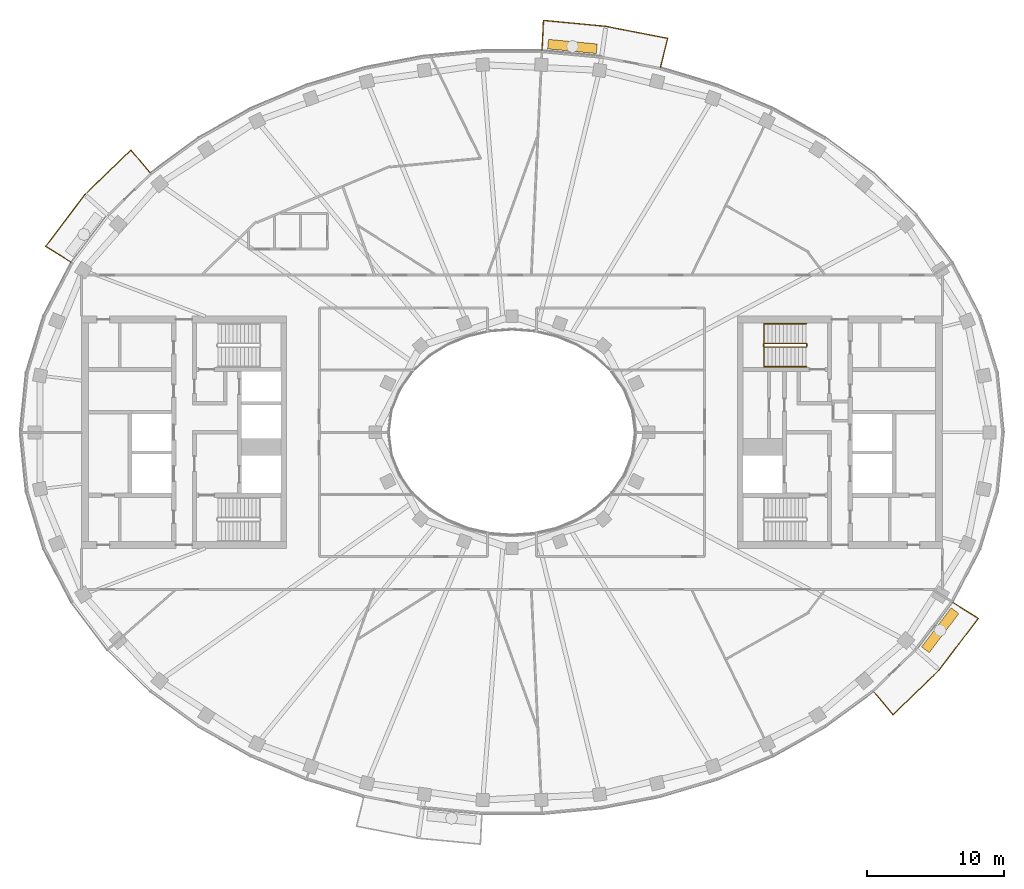
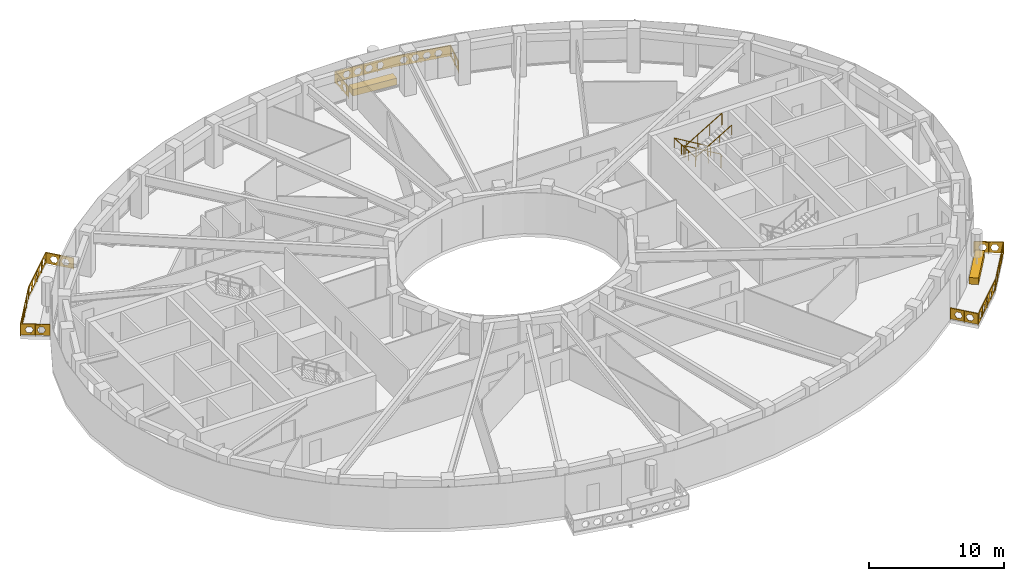
# One storey, part 15 of 16: 5 railings, 2 coverings.
"""IFC4 building model written with IfcOpenShell, lengths in metres."""

import ifcopenshell
import ifcopenshell.guid

model = None  # the IFC model being written
_history = None  # IfcOwnerHistory: only IFC2X3 demands one
_inside = {}  # id of a spatial element -> (the spatial element, [elements in it])
_under = {}  # id of a project, library or spatial element -> (it, [spatial elements below it])
_declared = {}  # id of a project -> (the project, [libraries it declares])
_typed = {}  # id of a type object -> (the type object, [elements of that type])
_made_of = {}  # id of a material, layer set ... -> (it, [elements and type objects made of it])


def new_model(schema):
    """Start an empty IFC model of exactly this schema.

    Asked for "IFC4X3", IfcOpenShell would pick the latest addendum, in which some entities
    have other attributes; the version numbers below select the first issue.
    IFC2X3 requires an IfcOwnerHistory on every rooted entity: one is made here for all.
    """
    global model, _history
    if schema == "IFC4X3":
        model = ifcopenshell.file(schema_version=(4, 3, 0, 0))
    else:
        model = ifcopenshell.file(schema=schema)
    _inside.clear()
    _under.clear()
    _declared.clear()
    _typed.clear()
    _made_of.clear()
    _history = None
    if model.schema == "IFC2X3":
        org = make("IfcOrganization", Name="unknown")
        user = make(
            "IfcPersonAndOrganization",
            ThePerson=make("IfcPerson", FamilyName="unknown"),
            TheOrganization=org,
        )
        app = make(
            "IfcApplication",
            ApplicationDeveloper=org,
            Version="unknown",
            ApplicationFullName="unknown",
            ApplicationIdentifier="unknown",
        )
        _history = make(
            "IfcOwnerHistory",
            OwningUser=user,
            OwningApplication=app,
            ChangeAction="ADDED",
            CreationDate=0,
        )
    return model


def make(cls, **values):
    """One entity of the class cls with the attributes given. An attribute that is None is left unset."""
    return model.create_entity(
        cls, **{name: value for name, value in values.items() if value is not None}
    )


def rooted(cls, **values):
    """An entity with a GlobalId (a new one), such as an element, a storey or a relation."""
    return make(cls, GlobalId=ifcopenshell.guid.new(), OwnerHistory=_history, **values)


def si_unit(unit_type, name, prefix=None):
    """IfcSIUnit, for example si_unit("LENGTHUNIT", "METRE", prefix="MILLI")."""
    return make("IfcSIUnit", UnitType=unit_type, Prefix=prefix, Name=name)


def assignment(units):
    """IfcUnitAssignment: the units of a project."""
    return None if units is None else make("IfcUnitAssignment", Units=units)


def point(xyz):
    """IfcCartesianPoint."""
    return None if xyz is None else make("IfcCartesianPoint", Coordinates=xyz)


def direction(xyz):
    """IfcDirection."""
    return None if xyz is None else make("IfcDirection", DirectionRatios=xyz)


def frame(location, z_axis=None, x_axis=None):
    """IfcAxis2Placement3D, a coordinate frame: its origin and axes. An axis left out is left unset."""
    return make(
        "IfcAxis2Placement3D",
        Location=point(location),
        Axis=direction(z_axis),
        RefDirection=direction(x_axis),
    )


def frame_2d(location, x_axis=None):
    """IfcAxis2Placement2D, a coordinate frame in the plane: its origin and x axis."""
    return make(
        "IfcAxis2Placement2D", Location=point(location), RefDirection=direction(x_axis)
    )


def origin():
    """The frame at (0, 0, 0) with its axes left unset."""
    return frame((0.0, 0.0, 0.0))


def origin_2d():
    """The frame at (0, 0) in the plane with its x axis left unset."""
    return frame_2d((0.0, 0.0))


def place(relative_to, where):
    """IfcLocalPlacement: puts the frame where relative to a parent placement (None: the world)."""
    return make(
        "IfcLocalPlacement", PlacementRelTo=relative_to, RelativePlacement=where
    )


def context(
    kind, dimensions, precision=None, world=None, true_north=None, identifier=None
):
    """IfcGeometricRepresentationContext, for example the 3D "Model" context."""
    return make(
        "IfcGeometricRepresentationContext",
        ContextIdentifier=identifier,
        ContextType=kind,
        CoordinateSpaceDimension=dimensions,
        Precision=precision,
        WorldCoordinateSystem=world,
        TrueNorth=true_north,
    )


def subcontext(parent, identifier, kind, view, scale=None):
    """IfcGeometricRepresentationSubContext, for example "Body" below "Model"."""
    return make(
        "IfcGeometricRepresentationSubContext",
        ContextIdentifier=identifier,
        ContextType=kind,
        ParentContext=parent,
        TargetScale=scale,
        TargetView=view,
    )


def project(units=None, contexts=None):
    """IfcProject with its units and contexts."""
    return rooted(
        "IfcProject",
        Name="project",
        RepresentationContexts=contexts,
        UnitsInContext=assignment(units),
    )


def spatial(cls, under=None, at=None, **own):
    """A site, building, storey or space (cls), placed at a placement, below another one or the project."""
    s = rooted(cls, ObjectPlacement=at, **own)
    if under is not None:
        _under.setdefault(under.id(), (under, []))[1].append(s)
    return s


def polyline(points):
    """IfcPolyline through the points."""
    return make("IfcPolyline", Points=[point(p) for p in points])


def profile(cls, at=None, kind="AREA", **sizes):
    """A parametric profile (cls). Its sizes go by their IFC names, for example OverallWidth=200.0."""
    return make(cls, ProfileType=kind, Position=at, **sizes)


def rectangle(**sizes):
    """IfcRectangleProfileDef."""
    return profile("IfcRectangleProfileDef", **sizes)


def outline(outer, holes=None, kind="AREA"):
    """IfcArbitraryClosedProfileDef: a profile drawn as a closed curve; with holes, ...WithVoids."""
    if holes is None:
        return make("IfcArbitraryClosedProfileDef", ProfileType=kind, OuterCurve=outer)
    return make(
        "IfcArbitraryProfileDefWithVoids",
        ProfileType=kind,
        OuterCurve=outer,
        InnerCurves=holes,
    )


def extrude(swept, where, along, depth):
    """IfcExtrudedAreaSolid: the profile swept, set in the frame where, extruded along a direction by depth."""
    return make(
        "IfcExtrudedAreaSolid",
        SweptArea=swept,
        Position=where,
        ExtrudedDirection=direction(along),
        Depth=depth,
    )


def shape(context_of_items, identifier, shape_type, items):
    """IfcShapeRepresentation: the items that make up one representation, for example the "Body"."""
    return make(
        "IfcShapeRepresentation",
        ContextOfItems=context_of_items,
        RepresentationIdentifier=identifier,
        RepresentationType=shape_type,
        Items=items,
    )


def material(Name=None, Category=None):
    """IfcMaterial."""
    return make("IfcMaterial", Name=Name, Category=Category)


def made_of(thing, what):
    """Note that an element or type object is made of a material, layer set ...; save() writes the relation."""
    if what is not None:
        _made_of.setdefault(what.id(), (what, []))[1].append(thing)
    return thing


def type_object(cls, material=None, **own):
    """A type object (cls), such as IfcWallType, which elements share."""
    return made_of(rooted(cls, **own), material)


def element(
    cls,
    number,
    at=None,
    inside=None,
    cuts=None,
    type_object=None,
    material=None,
    context=None,
    identifier="Body",
    shape_type=None,
    held_by="IfcProductDefinitionShape",
    body=None,
    shapes=None,
    **own,
):
    """One element of the class cls, such as IfcWall. Its Tag is "e" and its number.

    at: its placement. inside: the storey or other place that contains it. cuts: it is an
    opening in that element (IfcRelVoidsElement). A single representation is given by context,
    identifier, shape_type and body (its items); several are given by shapes. held_by: the class
    of the entity that holds the representations. save() writes the other relations.
    """
    e = rooted(cls, Tag="e%d" % number, ObjectPlacement=at, **own)
    if body is not None:
        shapes = [shape(context, identifier, shape_type, body)]
    if shapes is not None:
        e.Representation = make(held_by, Representations=shapes)
    if inside is not None:
        _inside.setdefault(inside.id(), (inside, []))[1].append(e)
    if cuts is not None:
        rooted(
            "IfcRelVoidsElement", RelatingBuildingElement=cuts, RelatedOpeningElement=e
        )
    if type_object is not None:
        _typed.setdefault(type_object.id(), (type_object, []))[1].append(e)
    return made_of(e, material)


def aggregate(whole, parts):
    """IfcRelAggregates: a whole, such as a stair, and the parts it consists of."""
    return rooted("IfcRelAggregates", RelatingObject=whole, RelatedObjects=parts)


def save(model, path):
    """Write the relations noted so far, then the file.

    IfcRelAggregates (storeys below a building ...), IfcRelContainedInSpatialStructure (elements
    in a storey), IfcRelDefinesByType, IfcRelAssociatesMaterial and IfcRelDeclares: one each for
    every whole, place, type object, material and project.
    """
    for whole, parts in _under.values():
        aggregate(whole, parts)
    for where, things in _inside.values():
        rooted(
            "IfcRelContainedInSpatialStructure",
            RelatedElements=things,
            RelatingStructure=where,
        )
    for kind, things in _typed.values():
        rooted("IfcRelDefinesByType", RelatedObjects=things, RelatingType=kind)
    for what, things in _made_of.values():
        rooted("IfcRelAssociatesMaterial", RelatedObjects=things, RelatingMaterial=what)
    for by, libraries in _declared.values():
        rooted("IfcRelDeclares", RelatingContext=by, RelatedDefinitions=libraries)
    model.write(path)


model = new_model("IFC4")

# Units and contexts
model_context = context("Model", 3, precision=1e-05, world=origin(), true_north=direction((0.0, 1.0)))
body_context = subcontext(model_context, "Body", "Model", "MODEL_VIEW")
ifc_project = project(units=[si_unit("LENGTHUNIT", "METRE"), si_unit("AREAUNIT", "SQUARE_METRE"), si_unit("VOLUMEUNIT", "CUBIC_METRE"), si_unit("PLANEANGLEUNIT", "RADIAN"), si_unit("MASSUNIT", "GRAM", prefix="KILO")], contexts=[model_context])

# Site, building, storey
site_placement = place(None, origin())
site = spatial("IfcSite", under=ifc_project, at=site_placement, CompositionType="ELEMENT")
building_placement = place(site_placement, origin())
building = spatial("IfcBuilding", under=site, at=building_placement, Name="Noorbagh Ring Tower", CompositionType="ELEMENT")
storey_placement = place(building_placement, frame((0.0, 0.0, 303.0)))
storey = spatial("IfcBuildingStorey", under=building, at=storey_placement, Name="L65", CompositionType="ELEMENT", Elevation=303.0)

# Railings
ifc_material_1 = material(Name="Stainless steel", Category="steel")
railing_type_1 = type_object("IfcRailingType", Name="CORE-STAIR-GUARD", PredefinedType="GUARDRAIL", material=ifc_material_1)
railing_1_placement = place(storey_placement, frame((21.580078125, 6.449951171875, 0.0)))
element("IfcRailing", 1, at=railing_1_placement, inside=storey, type_object=railing_type_1, Name="L65 ST3 stair guard", PredefinedType="GUARDRAIL", context=body_context, shape_type="SweptSolid", body=[
    extrude(rectangle(XDim=0.048095703125, YDim=0.048095703125, at=origin_2d()), frame((0.0, 0.0, 1.076171875), z_axis=(0.0, -1.0, 0.0), x_axis=(1.0, 0.0, 0.0)), (0.0, 0.0, 1.0), 0.14990234375),
    extrude(rectangle(XDim=0.048095703125, YDim=0.048095703125, at=origin_2d()), frame((0.0, -0.14990234375, 1.076171875), z_axis=(-0.188775798145, 0.754182335027, 0.628945707965), x_axis=(-0.970072785993, -0.242814311512, 0.0)), (0.0, 0.0, 1.0), 0.26513671875),
    extrude(rectangle(XDim=0.048095703125, YDim=0.048095703125, at=origin_2d()), frame((-0.050048828125, 0.050048828125, 1.24267578125), z_axis=(-0.859308565015, 0.0, 0.511457515432), x_axis=(0.0, -1.0, 0.0)), (0.0, 0.0, 1.0), 3.58447265625),
    extrude(rectangle(XDim=0.048095703125, YDim=0.048095703125, at=origin_2d()), frame((-3.130126953125, 0.050048828125, 3.076171875), z_axis=(-0.707106781187, -0.707106781187, 0.0), x_axis=(0.707106781187, -0.707106781187, 0.0)), (0.0, 0.0, 1.0), 0.07080078125),
    extrude(rectangle(XDim=0.048095703125, YDim=0.048095703125, at=origin_2d()), frame((-3.18017578125, 0.0, 3.076171875), z_axis=(0.0, -1.0, 0.0), x_axis=(1.0, 0.0, 0.0)), (0.0, 0.0, 1.0), 0.14990234375),
    extrude(rectangle(XDim=0.048095703125, YDim=0.048095703125, at=origin_2d()), frame((-3.18017578125, -0.14990234375, 3.076171875), z_axis=(0.27628659633, -0.27628659633, 0.920506074601), x_axis=(0.707106781187, 0.707106781187, 0.0)), (0.0, 0.0, 1.0), 0.18115234375),
    extrude(rectangle(XDim=0.048095703125, YDim=0.048095703125, at=origin_2d()), frame((-3.130126953125, -0.199951171875, 3.24267578125), z_axis=(0.859308565015, 0.0, 0.511457515432), x_axis=(0.0, 1.0, 0.0)), (0.0, 0.0, 1.0), 3.58447265625),
    extrude(rectangle(XDim=0.0419921875, YDim=0.0419921875, at=origin_2d()), origin(), (0.0, 0.0, 1.0), 1.052001953125),
    extrude(rectangle(XDim=0.0419921875, YDim=0.0419921875, at=origin_2d()), frame((-1.07666015625, 0.050048828125, 0.77783203125)), (0.0, 0.0, 1.0), 1.052001953125),
    extrude(rectangle(XDim=0.0419921875, YDim=0.0419921875, at=origin_2d()), frame((-2.103515625, 0.050048828125, 1.388916015625)), (0.0, 0.0, 1.0), 1.052001953125),
    extrude(rectangle(XDim=0.0419921875, YDim=0.0419921875, at=origin_2d()), frame((-3.130126953125, 0.050048828125, 2.0)), (0.0, 0.0, 1.0), 1.052001953125),
    extrude(rectangle(XDim=0.0419921875, YDim=0.0419921875, at=origin_2d()), frame((-3.130126953125, -0.199951171875, 2.166748046875)), (0.0, 0.0, 1.0), 1.052001953125),
    extrude(rectangle(XDim=0.0419921875, YDim=0.0419921875, at=origin_2d()), frame((-2.103515625, -0.199951171875, 2.77783203125)), (0.0, 0.0, 1.0), 1.052001953125),
    extrude(rectangle(XDim=0.0419921875, YDim=0.0419921875, at=origin_2d()), frame((-1.07666015625, -0.199951171875, 3.388916015625)), (0.0, 0.0, 1.0), 1.052001953125),
    extrude(rectangle(XDim=0.0419921875, YDim=0.0419921875, at=origin_2d()), frame((-0.050048828125, -0.199951171875, 4.0)), (0.0, 0.0, 1.0), 1.052001953125),
])
ifc_material_2 = material(Name="Stainless steel", Category="steel")
railing_type_2 = type_object("IfcRailingType", Name="CORE-STAIR-HANDRAIL", PredefinedType="HANDRAIL", material=ifc_material_2)
railing_2_placement = place(storey_placement, frame((21.530029296875, 7.949951171875, 0.166748046875)))
element("IfcRailing", 2, at=railing_2_placement, inside=storey, type_object=railing_type_2, Name="L65 ST3 stair handrail", PredefinedType="HANDRAIL", context=body_context, shape_type="SweptSolid", body=[
    extrude(rectangle(XDim=0.048095703125, YDim=0.048095703125, at=origin_2d()), frame((0.0, 0.0, 0.8759765625), z_axis=(-0.859308565015, 0.0, 0.511457515432), x_axis=(0.0, -1.0, 0.0)), (0.0, 0.0, 1.0), 3.58447265625),
    extrude(rectangle(XDim=0.048095703125, YDim=0.048095703125, at=origin_2d()), frame((-3.080078125, 0.0, 2.708984375), z_axis=(0.0, -0.998601747152, 0.052863509014), x_axis=(1.0, 0.0, 0.0)), (0.0, 0.0, 1.0), 3.154296875),
    extrude(rectangle(XDim=0.048095703125, YDim=0.048095703125, at=origin_2d()), frame((-3.080078125, -3.14990234375, 2.8759765625), z_axis=(0.859308565015, 0.0, 0.511457515432), x_axis=(0.0, 1.0, 0.0)), (0.0, 0.0, 1.0), 3.58447265625),
    extrude(rectangle(XDim=0.0419921875, YDim=0.0419921875, at=origin_2d()), origin(), (0.0, 0.0, 1.0), 0.851806640625),
    extrude(rectangle(XDim=0.0419921875, YDim=0.0419921875, at=origin_2d()), frame((-1.026611328125, 0.0, 0.611083984375)), (0.0, 0.0, 1.0), 0.851806640625),
    extrude(rectangle(XDim=0.0419921875, YDim=0.0419921875, at=origin_2d()), frame((-2.053466796875, 0.0, 1.22216796875)), (0.0, 0.0, 1.0), 0.851806640625),
    extrude(rectangle(XDim=0.0419921875, YDim=0.0419921875, at=origin_2d()), frame((-3.080078125, 0.0, 1.833251953125)), (0.0, 0.0, 1.0), 0.851806640625),
    extrude(rectangle(XDim=0.0419921875, YDim=0.0419921875, at=origin_2d()), frame((-3.080078125, -1.050048828125, 1.888916015625)), (0.0, 0.0, 1.0), 0.851806640625),
    extrude(rectangle(XDim=0.0419921875, YDim=0.0419921875, at=origin_2d()), frame((-3.080078125, -2.099853515625, 1.9443359375)), (0.0, 0.0, 1.0), 0.851806640625),
    extrude(rectangle(XDim=0.0419921875, YDim=0.0419921875, at=origin_2d()), frame((-3.080078125, -3.14990234375, 2.0)), (0.0, 0.0, 1.0), 0.851806640625),
    extrude(rectangle(XDim=0.0419921875, YDim=0.0419921875, at=origin_2d()), frame((-2.053466796875, -3.14990234375, 2.611083984375)), (0.0, 0.0, 1.0), 0.851806640625),
    extrude(rectangle(XDim=0.0419921875, YDim=0.0419921875, at=origin_2d()), frame((-1.026611328125, -3.14990234375, 3.22216796875)), (0.0, 0.0, 1.0), 0.851806640625),
    extrude(rectangle(XDim=0.0419921875, YDim=0.0419921875, at=origin_2d()), frame((0.0, -3.14990234375, 3.833251953125)), (0.0, 0.0, 1.0), 0.851806640625),
])
ifc_material_3 = material(Name="Steel S275 black powder-coated", Category="steel")
railing_type_3 = type_object("IfcRailingType", Name="ENV-GUARD", PredefinedType="GUARDRAIL", material=ifc_material_3)
railing_3_placement = place(storey_placement, frame((10.865234375, 26.6943359375, 0.0)))
element("IfcRailing", 3, at=railing_3_placement, inside=storey, type_object=railing_type_3, Name="Balcony guard BN03", PredefinedType="GUARDRAIL", context=body_context, shape_type="SweptSolid", body=[
    extrude(rectangle(XDim=0.048095703125, YDim=0.048095703125, at=origin_2d()), frame((0.0, 0.0, 1.076171875), z_axis=(0.239848558412, 0.970810315679, 0.0), x_axis=(-0.970810315679, 0.239848558412, 0.0)), (0.0, 0.0, 1.0), 2.20263671875),
    extrude(rectangle(XDim=0.048095703125, YDim=0.048095703125, at=origin_2d()), frame((0.5283203125, 2.138427734375, 1.076171875), z_axis=(-0.981625049064, 0.1908199755, 0.0), x_axis=(-0.1908199755, -0.981625049064, 0.0)), (0.0, 0.0, 1.0), 4.603271484375),
    extrude(rectangle(XDim=0.048095703125, YDim=0.048095703125, at=origin_2d()), frame((-3.990478515625, 3.016845703125, 1.076171875), z_axis=(-0.995477555764, 0.094997031379, 0.0), x_axis=(-0.094997031379, -0.995477555764, 0.0)), (0.0, 0.0, 1.0), 4.59765625),
    extrude(rectangle(XDim=0.048095703125, YDim=0.048095703125, at=origin_2d()), frame((-8.5673828125, 3.45361328125, 1.076171875), z_axis=(-0.047554616162, -0.998868639252, 0.0), x_axis=(0.998868639252, -0.047554616162, 0.0)), (0.0, 0.0, 1.0), 2.202392578125),
    extrude(rectangle(XDim=0.0419921875, YDim=0.0419921875, at=origin_2d()), origin(), (0.0, 0.0, 1.0), 1.052001953125),
    extrude(rectangle(XDim=0.0419921875, YDim=0.0419921875, at=origin_2d()), frame((0.26416015625, 1.0693359375, 0.0)), (0.0, 0.0, 1.0), 1.052001953125),
    extrude(rectangle(XDim=0.0419921875, YDim=0.0419921875, at=origin_2d()), frame((0.5283203125, 2.138427734375, 0.0)), (0.0, 0.0, 1.0), 1.052001953125),
    extrude(rectangle(XDim=0.0419921875, YDim=0.0419921875, at=origin_2d()), frame((-0.601318359375, 2.35791015625, 0.0)), (0.0, 0.0, 1.0), 1.052001953125),
    extrude(rectangle(XDim=0.0419921875, YDim=0.0419921875, at=origin_2d()), frame((-1.73095703125, 2.57763671875, 0.0)), (0.0, 0.0, 1.0), 1.052001953125),
    extrude(rectangle(XDim=0.0419921875, YDim=0.0419921875, at=origin_2d()), frame((-2.86083984375, 2.79736328125, 0.0)), (0.0, 0.0, 1.0), 1.052001953125),
    extrude(rectangle(XDim=0.0419921875, YDim=0.0419921875, at=origin_2d()), frame((-3.990478515625, 3.016845703125, 0.0)), (0.0, 0.0, 1.0), 1.052001953125),
    extrude(rectangle(XDim=0.0419921875, YDim=0.0419921875, at=origin_2d()), frame((-5.134765625, 3.1259765625, 0.0)), (0.0, 0.0, 1.0), 1.052001953125),
    extrude(rectangle(XDim=0.0419921875, YDim=0.0419921875, at=origin_2d()), frame((-6.27880859375, 3.2353515625, 0.0)), (0.0, 0.0, 1.0), 1.052001953125),
    extrude(rectangle(XDim=0.0419921875, YDim=0.0419921875, at=origin_2d()), frame((-7.423095703125, 3.344482421875, 0.0)), (0.0, 0.0, 1.0), 1.052001953125),
    extrude(rectangle(XDim=0.0419921875, YDim=0.0419921875, at=origin_2d()), frame((-8.5673828125, 3.45361328125, 0.0)), (0.0, 0.0, 1.0), 1.052001953125),
    extrude(rectangle(XDim=0.0419921875, YDim=0.0419921875, at=origin_2d()), frame((-8.61962890625, 2.353515625, 0.0)), (0.0, 0.0, 1.0), 1.052001953125),
    extrude(rectangle(XDim=0.0419921875, YDim=0.0419921875, at=origin_2d()), frame((-8.672119140625, 1.253662109375, 0.0)), (0.0, 0.0, 1.0), 1.052001953125),
    extrude(outline(polyline([(0.0, 0.10009765625), (2.20263671875, 0.10009765625), (2.20263671875, 1.031982421875), (0.0, 1.031982421875), (0.0, 0.10009765625)]), holes=[polyline([(0.96142578125, 0.56591796875), (0.806396484375, 0.83447265625), (0.496337890625, 0.83447265625), (0.34130859375, 0.56591796875), (0.496337890625, 0.297607421875), (0.806396484375, 0.297607421875), (0.96142578125, 0.56591796875)]), polyline([(1.861328125, 0.56591796875), (1.706298828125, 0.83447265625), (1.396240234375, 0.83447265625), (1.241455078125, 0.56591796875), (1.396240234375, 0.297607421875), (1.706298828125, 0.297607421875), (1.861328125, 0.56591796875)])]), frame((-0.009765625, 0.00244140625, 0.0), z_axis=(0.970810315679, -0.239848558412, 0.0), x_axis=(0.239848558412, 0.970810315679, 0.0)), (0.0, 0.0, 1.0), 0.02001953125),
    extrude(outline(polyline([(0.0, 0.10009765625), (4.603271484375, 0.10009765625), (4.603271484375, 1.031982421875), (0.0, 1.031982421875), (0.0, 0.10009765625)]), holes=[polyline([(1.26171875, 0.56591796875), (1.106689453125, 0.83447265625), (0.796630859375, 0.83447265625), (0.6416015625, 0.56591796875), (0.796630859375, 0.297607421875), (1.106689453125, 0.297607421875), (1.26171875, 0.56591796875)]), polyline([(2.16162109375, 0.56591796875), (2.006591796875, 0.83447265625), (1.69677734375, 0.83447265625), (1.541748046875, 0.56591796875), (1.69677734375, 0.297607421875), (2.006591796875, 0.297607421875), (2.16162109375, 0.56591796875)]), polyline([(3.061767578125, 0.56591796875), (2.90673828125, 0.83447265625), (2.5966796875, 0.83447265625), (2.441650390625, 0.56591796875), (2.5966796875, 0.297607421875), (2.90673828125, 0.297607421875), (3.061767578125, 0.56591796875)]), polyline([(3.961669921875, 0.56591796875), (3.806640625, 0.83447265625), (3.49658203125, 0.83447265625), (3.341796875, 0.56591796875), (3.49658203125, 0.297607421875), (3.806640625, 0.297607421875), (3.961669921875, 0.56591796875)])]), frame((0.5263671875, 2.128662109375, 0.0), z_axis=(0.1908199755, 0.981625049064, 0.0), x_axis=(-0.981625049064, 0.1908199755, 0.0)), (0.0, 0.0, 1.0), 0.02001953125),
    extrude(outline(polyline([(0.0, 0.10009765625), (4.59765625, 0.10009765625), (4.59765625, 1.031982421875), (0.0, 1.031982421875), (0.0, 0.10009765625)]), holes=[polyline([(1.2587890625, 0.56591796875), (1.103759765625, 0.83447265625), (0.7939453125, 0.83447265625), (0.638916015625, 0.56591796875), (0.7939453125, 0.297607421875), (1.103759765625, 0.297607421875), (1.2587890625, 0.56591796875)]), polyline([(2.158935546875, 0.56591796875), (2.00390625, 0.83447265625), (1.69384765625, 0.83447265625), (1.538818359375, 0.56591796875), (1.69384765625, 0.297607421875), (2.00390625, 0.297607421875), (2.158935546875, 0.56591796875)]), polyline([(3.058837890625, 0.56591796875), (2.90380859375, 0.83447265625), (2.59375, 0.83447265625), (2.43896484375, 0.56591796875), (2.59375, 0.297607421875), (2.90380859375, 0.297607421875), (3.058837890625, 0.56591796875)]), polyline([(3.958740234375, 0.56591796875), (3.803955078125, 0.83447265625), (3.493896484375, 0.83447265625), (3.3388671875, 0.56591796875), (3.493896484375, 0.297607421875), (3.803955078125, 0.297607421875), (3.958740234375, 0.56591796875)])]), frame((-3.991455078125, 3.0068359375, 0.0), z_axis=(0.094997031379, 0.995477555764, 0.0), x_axis=(-0.995477555764, 0.094997031379, 0.0)), (0.0, 0.0, 1.0), 0.02001953125),
    extrude(outline(polyline([(0.0, 0.10009765625), (2.202392578125, 0.10009765625), (2.202392578125, 1.031982421875), (0.0, 1.031982421875), (0.0, 0.10009765625)]), holes=[polyline([(0.961181640625, 0.56591796875), (0.80615234375, 0.83447265625), (0.496337890625, 0.83447265625), (0.34130859375, 0.56591796875), (0.496337890625, 0.297607421875), (0.80615234375, 0.297607421875), (0.961181640625, 0.56591796875)]), polyline([(1.861328125, 0.56591796875), (1.706298828125, 0.83447265625), (1.396240234375, 0.83447265625), (1.2412109375, 0.56591796875), (1.396240234375, 0.297607421875), (1.706298828125, 0.297607421875), (1.861328125, 0.56591796875)])]), frame((-8.557373046875, 3.453125, 0.0), z_axis=(-0.998868639252, 0.047554616162, 0.0), x_axis=(-0.047554616162, -0.998868639252, 0.0)), (0.0, 0.0, 1.0), 0.02001953125),
])
railing_4_placement = place(storey_placement, frame((-26.463134765625, 18.983154296875, 0.0)))
element("IfcRailing", 4, at=railing_4_placement, inside=storey, type_object=railing_type_3, Name="Balcony guard BN06", PredefinedType="GUARDRAIL", context=body_context, shape_type="SweptSolid", body=[
    extrude(rectangle(XDim=0.048095703125, YDim=0.048095703125, at=origin_2d()), frame((0.0, 0.0, 1.076171875), z_axis=(-0.646413574048, 0.762987215677, 0.0), x_axis=(-0.762987215677, -0.646413574048, 0.0)), (0.0, 0.0, 1.0), 2.205322265625),
    extrude(rectangle(XDim=0.048095703125, YDim=0.048095703125, at=origin_2d()), frame((-1.425537109375, 1.6826171875, 1.076171875), z_axis=(-0.717212632946, -0.696854388766, 0.0), x_axis=(0.696854388766, -0.717212632946, 0.0)), (0.0, 0.0, 1.0), 4.700927734375),
    extrude(rectangle(XDim=0.048095703125, YDim=0.048095703125, at=origin_2d()), frame((-4.797119140625, -1.59326171875, 1.076171875), z_axis=(-0.604001613322, -0.796983093362, 0.0), x_axis=(0.796983093362, -0.604001613322, 0.0)), (0.0, 0.0, 1.0), 4.7353515625),
    extrude(rectangle(XDim=0.048095703125, YDim=0.048095703125, at=origin_2d()), frame((-7.6572265625, -5.3671875, 1.076171875), z_axis=(0.844852397829, -0.534999463442, 0.0), x_axis=(0.534999463442, 0.844852397829, 0.0)), (0.0, 0.0, 1.0), 2.207763671875),
    extrude(rectangle(XDim=0.0419921875, YDim=0.0419921875, at=origin_2d()), origin(), (0.0, 0.0, 1.0), 1.052001953125),
    extrude(rectangle(XDim=0.0419921875, YDim=0.0419921875, at=origin_2d()), frame((-0.712890625, 0.84130859375, 0.0)), (0.0, 0.0, 1.0), 1.052001953125),
    extrude(rectangle(XDim=0.0419921875, YDim=0.0419921875, at=origin_2d()), frame((-1.425537109375, 1.6826171875, 0.0)), (0.0, 0.0, 1.0), 1.052001953125),
    extrude(rectangle(XDim=0.0419921875, YDim=0.0419921875, at=origin_2d()), frame((-2.2685546875, 0.86376953125, 0.0)), (0.0, 0.0, 1.0), 1.052001953125),
    extrude(rectangle(XDim=0.0419921875, YDim=0.0419921875, at=origin_2d()), frame((-3.111328125, 0.044677734375, 0.0)), (0.0, 0.0, 1.0), 1.052001953125),
    extrude(rectangle(XDim=0.0419921875, YDim=0.0419921875, at=origin_2d()), frame((-3.9541015625, -0.7744140625, 0.0)), (0.0, 0.0, 1.0), 1.052001953125),
    extrude(rectangle(XDim=0.0419921875, YDim=0.0419921875, at=origin_2d()), frame((-4.797119140625, -1.59326171875, 0.0)), (0.0, 0.0, 1.0), 1.052001953125),
    extrude(rectangle(XDim=0.0419921875, YDim=0.0419921875, at=origin_2d()), frame((-5.51220703125, -2.53662109375, 0.0)), (0.0, 0.0, 1.0), 1.052001953125),
    extrude(rectangle(XDim=0.0419921875, YDim=0.0419921875, at=origin_2d()), frame((-6.22705078125, -3.480224609375, 0.0)), (0.0, 0.0, 1.0), 1.052001953125),
    extrude(rectangle(XDim=0.0419921875, YDim=0.0419921875, at=origin_2d()), frame((-6.942138671875, -4.423828125, 0.0)), (0.0, 0.0, 1.0), 1.052001953125),
    extrude(rectangle(XDim=0.0419921875, YDim=0.0419921875, at=origin_2d()), frame((-7.6572265625, -5.3671875, 0.0)), (0.0, 0.0, 1.0), 1.052001953125),
    extrude(rectangle(XDim=0.0419921875, YDim=0.0419921875, at=origin_2d()), frame((-6.724609375, -5.957763671875, 0.0)), (0.0, 0.0, 1.0), 1.052001953125),
    extrude(rectangle(XDim=0.0419921875, YDim=0.0419921875, at=origin_2d()), frame((-5.7919921875, -6.54833984375, 0.0)), (0.0, 0.0, 1.0), 1.052001953125),
    extrude(outline(polyline([(0.0, 0.10009765625), (2.205322265625, 0.10009765625), (2.205322265625, 1.031982421875), (0.0, 1.031982421875), (0.0, 0.10009765625)]), holes=[polyline([(0.962646484375, 0.56591796875), (0.8076171875, 0.83447265625), (0.49755859375, 0.83447265625), (0.342529296875, 0.56591796875), (0.49755859375, 0.297607421875), (0.8076171875, 0.297607421875), (0.962646484375, 0.56591796875)]), polyline([(1.862548828125, 0.56591796875), (1.707763671875, 0.83447265625), (1.397705078125, 0.83447265625), (1.24267578125, 0.56591796875), (1.397705078125, 0.297607421875), (1.707763671875, 0.297607421875), (1.862548828125, 0.56591796875)])]), frame((-0.007568359375, -0.00634765625, 0.0), z_axis=(0.762987215677, 0.646413574048, 0.0), x_axis=(-0.646413574048, 0.762987215677, 0.0)), (0.0, 0.0, 1.0), 0.02001953125),
    extrude(outline(polyline([(0.0, 0.10009765625), (4.700927734375, 0.10009765625), (4.700927734375, 1.031982421875), (0.0, 1.031982421875), (0.0, 0.10009765625)]), holes=[polyline([(0.860595703125, 0.56591796875), (0.70556640625, 0.83447265625), (0.3955078125, 0.83447265625), (0.240478515625, 0.56591796875), (0.3955078125, 0.297607421875), (0.70556640625, 0.297607421875), (0.860595703125, 0.56591796875)]), polyline([(1.760498046875, 0.56591796875), (1.60546875, 0.83447265625), (1.29541015625, 0.83447265625), (1.140380859375, 0.56591796875), (1.29541015625, 0.297607421875), (1.60546875, 0.297607421875), (1.760498046875, 0.56591796875)]), polyline([(2.660400390625, 0.56591796875), (2.50537109375, 0.83447265625), (2.195556640625, 0.83447265625), (2.04052734375, 0.56591796875), (2.195556640625, 0.297607421875), (2.50537109375, 0.297607421875), (2.660400390625, 0.56591796875)]), polyline([(3.560546875, 0.56591796875), (3.405517578125, 0.83447265625), (3.095458984375, 0.83447265625), (2.9404296875, 0.56591796875), (3.095458984375, 0.297607421875), (3.405517578125, 0.297607421875), (3.560546875, 0.56591796875)]), polyline([(4.46044921875, 0.56591796875), (4.305419921875, 0.83447265625), (3.995361328125, 0.83447265625), (3.840576171875, 0.56591796875), (3.995361328125, 0.297607421875), (4.305419921875, 0.297607421875), (4.46044921875, 0.56591796875)])]), frame((-1.41845703125, 1.675537109375, 0.0), z_axis=(-0.696854388766, 0.717212632946, 0.0), x_axis=(-0.717212632946, -0.696854388766, 0.0)), (0.0, 0.0, 1.0), 0.02001953125),
    extrude(outline(polyline([(0.0, 0.10009765625), (4.7353515625, 0.10009765625), (4.7353515625, 1.031982421875), (0.0, 1.031982421875), (0.0, 0.10009765625)]), holes=[polyline([(0.877685546875, 0.56591796875), (0.72265625, 0.83447265625), (0.41259765625, 0.83447265625), (0.257568359375, 0.56591796875), (0.41259765625, 0.297607421875), (0.72265625, 0.297607421875), (0.877685546875, 0.56591796875)]), polyline([(1.777587890625, 0.56591796875), (1.62255859375, 0.83447265625), (1.312744140625, 0.83447265625), (1.15771484375, 0.56591796875), (1.312744140625, 0.297607421875), (1.62255859375, 0.297607421875), (1.777587890625, 0.56591796875)]), polyline([(2.677734375, 0.56591796875), (2.522705078125, 0.83447265625), (2.212646484375, 0.83447265625), (2.0576171875, 0.56591796875), (2.212646484375, 0.297607421875), (2.522705078125, 0.297607421875), (2.677734375, 0.56591796875)]), polyline([(3.57763671875, 0.56591796875), (3.422607421875, 0.83447265625), (3.112548828125, 0.83447265625), (2.95751953125, 0.56591796875), (3.112548828125, 0.297607421875), (3.422607421875, 0.297607421875), (3.57763671875, 0.56591796875)]), polyline([(4.4775390625, 0.56591796875), (4.32275390625, 0.83447265625), (4.0126953125, 0.83447265625), (3.857666015625, 0.56591796875), (4.0126953125, 0.297607421875), (4.32275390625, 0.297607421875), (4.4775390625, 0.56591796875)])]), frame((-4.7890625, -1.599365234375, 0.0), z_axis=(-0.796983093362, 0.604001613322, 0.0), x_axis=(-0.604001613322, -0.796983093362, 0.0)), (0.0, 0.0, 1.0), 0.02001953125),
    extrude(outline(polyline([(0.0, 0.10009765625), (2.207763671875, 0.10009765625), (2.207763671875, 1.031982421875), (0.0, 1.031982421875), (0.0, 0.10009765625)]), holes=[polyline([(0.9638671875, 0.56591796875), (0.808837890625, 0.83447265625), (0.498779296875, 0.83447265625), (0.343994140625, 0.56591796875), (0.498779296875, 0.297607421875), (0.808837890625, 0.297607421875), (0.9638671875, 0.56591796875)]), polyline([(1.86376953125, 0.56591796875), (1.708984375, 0.83447265625), (1.39892578125, 0.83447265625), (1.243896484375, 0.56591796875), (1.39892578125, 0.297607421875), (1.708984375, 0.297607421875), (1.86376953125, 0.56591796875)])]), frame((-7.65185546875, -5.358642578125, 0.0), z_axis=(-0.534999463442, -0.844852397829, 0.0), x_axis=(0.844852397829, -0.534999463442, 0.0)), (0.0, 0.0, 1.0), 0.02001953125),
])
railing_5_placement = place(storey_placement, frame((26.463134765625, -18.983154296875, 0.0)))
element("IfcRailing", 5, at=railing_5_placement, inside=storey, type_object=railing_type_3, Name="Balcony guard BS06", PredefinedType="GUARDRAIL", context=body_context, shape_type="SweptSolid", body=[
    extrude(rectangle(XDim=0.048095703125, YDim=0.048095703125, at=origin_2d()), frame((0.0, 0.0, 1.076171875), z_axis=(0.646413574048, -0.762987215677, 0.0), x_axis=(0.762987215677, 0.646413574048, 0.0)), (0.0, 0.0, 1.0), 2.205322265625),
    extrude(rectangle(XDim=0.048095703125, YDim=0.048095703125, at=origin_2d()), frame((1.425537109375, -1.6826171875, 1.076171875), z_axis=(0.717212632946, 0.696854388766, 0.0), x_axis=(-0.696854388766, 0.717212632946, 0.0)), (0.0, 0.0, 1.0), 4.700927734375),
    extrude(rectangle(XDim=0.048095703125, YDim=0.048095703125, at=origin_2d()), frame((4.797119140625, 1.59326171875, 1.076171875), z_axis=(0.604001613322, 0.796983093362, 0.0), x_axis=(-0.796983093362, 0.604001613322, 0.0)), (0.0, 0.0, 1.0), 4.7353515625),
    extrude(rectangle(XDim=0.048095703125, YDim=0.048095703125, at=origin_2d()), frame((7.6572265625, 5.3671875, 1.076171875), z_axis=(-0.844852397829, 0.534999463442, 0.0), x_axis=(-0.534999463442, -0.844852397829, 0.0)), (0.0, 0.0, 1.0), 2.207763671875),
    extrude(rectangle(XDim=0.0419921875, YDim=0.0419921875, at=origin_2d()), origin(), (0.0, 0.0, 1.0), 1.052001953125),
    extrude(rectangle(XDim=0.0419921875, YDim=0.0419921875, at=origin_2d()), frame((0.712890625, -0.84130859375, 0.0)), (0.0, 0.0, 1.0), 1.052001953125),
    extrude(rectangle(XDim=0.0419921875, YDim=0.0419921875, at=origin_2d()), frame((1.425537109375, -1.6826171875, 0.0)), (0.0, 0.0, 1.0), 1.052001953125),
    extrude(rectangle(XDim=0.0419921875, YDim=0.0419921875, at=origin_2d()), frame((2.2685546875, -0.86376953125, 0.0)), (0.0, 0.0, 1.0), 1.052001953125),
    extrude(rectangle(XDim=0.0419921875, YDim=0.0419921875, at=origin_2d()), frame((3.111328125, -0.044677734375, 0.0)), (0.0, 0.0, 1.0), 1.052001953125),
    extrude(rectangle(XDim=0.0419921875, YDim=0.0419921875, at=origin_2d()), frame((3.9541015625, 0.7744140625, 0.0)), (0.0, 0.0, 1.0), 1.052001953125),
    extrude(rectangle(XDim=0.0419921875, YDim=0.0419921875, at=origin_2d()), frame((4.797119140625, 1.59326171875, 0.0)), (0.0, 0.0, 1.0), 1.052001953125),
    extrude(rectangle(XDim=0.0419921875, YDim=0.0419921875, at=origin_2d()), frame((5.51220703125, 2.53662109375, 0.0)), (0.0, 0.0, 1.0), 1.052001953125),
    extrude(rectangle(XDim=0.0419921875, YDim=0.0419921875, at=origin_2d()), frame((6.22705078125, 3.480224609375, 0.0)), (0.0, 0.0, 1.0), 1.052001953125),
    extrude(rectangle(XDim=0.0419921875, YDim=0.0419921875, at=origin_2d()), frame((6.942138671875, 4.423828125, 0.0)), (0.0, 0.0, 1.0), 1.052001953125),
    extrude(rectangle(XDim=0.0419921875, YDim=0.0419921875, at=origin_2d()), frame((7.6572265625, 5.3671875, 0.0)), (0.0, 0.0, 1.0), 1.052001953125),
    extrude(rectangle(XDim=0.0419921875, YDim=0.0419921875, at=origin_2d()), frame((6.724609375, 5.957763671875, 0.0)), (0.0, 0.0, 1.0), 1.052001953125),
    extrude(rectangle(XDim=0.0419921875, YDim=0.0419921875, at=origin_2d()), frame((5.7919921875, 6.54833984375, 0.0)), (0.0, 0.0, 1.0), 1.052001953125),
    extrude(outline(polyline([(0.0, 0.10009765625), (2.205322265625, 0.10009765625), (2.205322265625, 1.031982421875), (0.0, 1.031982421875), (0.0, 0.10009765625)]), holes=[polyline([(0.962646484375, 0.56591796875), (0.8076171875, 0.83447265625), (0.49755859375, 0.83447265625), (0.342529296875, 0.56591796875), (0.49755859375, 0.297607421875), (0.8076171875, 0.297607421875), (0.962646484375, 0.56591796875)]), polyline([(1.862548828125, 0.56591796875), (1.707763671875, 0.83447265625), (1.397705078125, 0.83447265625), (1.24267578125, 0.56591796875), (1.397705078125, 0.297607421875), (1.707763671875, 0.297607421875), (1.862548828125, 0.56591796875)])]), frame((0.007568359375, 0.00634765625, 0.0), z_axis=(-0.762987215677, -0.646413574048, 0.0), x_axis=(0.646413574048, -0.762987215677, 0.0)), (0.0, 0.0, 1.0), 0.02001953125),
    extrude(outline(polyline([(0.0, 0.10009765625), (4.700927734375, 0.10009765625), (4.700927734375, 1.031982421875), (0.0, 1.031982421875), (0.0, 0.10009765625)]), holes=[polyline([(0.860595703125, 0.56591796875), (0.70556640625, 0.83447265625), (0.3955078125, 0.83447265625), (0.240478515625, 0.56591796875), (0.3955078125, 0.297607421875), (0.70556640625, 0.297607421875), (0.860595703125, 0.56591796875)]), polyline([(1.760498046875, 0.56591796875), (1.60546875, 0.83447265625), (1.29541015625, 0.83447265625), (1.140380859375, 0.56591796875), (1.29541015625, 0.297607421875), (1.60546875, 0.297607421875), (1.760498046875, 0.56591796875)]), polyline([(2.660400390625, 0.56591796875), (2.50537109375, 0.83447265625), (2.195556640625, 0.83447265625), (2.04052734375, 0.56591796875), (2.195556640625, 0.297607421875), (2.50537109375, 0.297607421875), (2.660400390625, 0.56591796875)]), polyline([(3.560546875, 0.56591796875), (3.405517578125, 0.83447265625), (3.095458984375, 0.83447265625), (2.9404296875, 0.56591796875), (3.095458984375, 0.297607421875), (3.405517578125, 0.297607421875), (3.560546875, 0.56591796875)]), polyline([(4.46044921875, 0.56591796875), (4.305419921875, 0.83447265625), (3.995361328125, 0.83447265625), (3.840576171875, 0.56591796875), (3.995361328125, 0.297607421875), (4.305419921875, 0.297607421875), (4.46044921875, 0.56591796875)])]), frame((1.41845703125, -1.675537109375, 0.0), z_axis=(0.696854388766, -0.717212632946, 0.0), x_axis=(0.717212632946, 0.696854388766, 0.0)), (0.0, 0.0, 1.0), 0.02001953125),
    extrude(outline(polyline([(0.0, 0.10009765625), (4.7353515625, 0.10009765625), (4.7353515625, 1.031982421875), (0.0, 1.031982421875), (0.0, 0.10009765625)]), holes=[polyline([(0.877685546875, 0.56591796875), (0.72265625, 0.83447265625), (0.41259765625, 0.83447265625), (0.257568359375, 0.56591796875), (0.41259765625, 0.297607421875), (0.72265625, 0.297607421875), (0.877685546875, 0.56591796875)]), polyline([(1.777587890625, 0.56591796875), (1.62255859375, 0.83447265625), (1.312744140625, 0.83447265625), (1.15771484375, 0.56591796875), (1.312744140625, 0.297607421875), (1.62255859375, 0.297607421875), (1.777587890625, 0.56591796875)]), polyline([(2.677734375, 0.56591796875), (2.522705078125, 0.83447265625), (2.212646484375, 0.83447265625), (2.0576171875, 0.56591796875), (2.212646484375, 0.297607421875), (2.522705078125, 0.297607421875), (2.677734375, 0.56591796875)]), polyline([(3.57763671875, 0.56591796875), (3.422607421875, 0.83447265625), (3.112548828125, 0.83447265625), (2.95751953125, 0.56591796875), (3.112548828125, 0.297607421875), (3.422607421875, 0.297607421875), (3.57763671875, 0.56591796875)]), polyline([(4.4775390625, 0.56591796875), (4.32275390625, 0.83447265625), (4.0126953125, 0.83447265625), (3.857666015625, 0.56591796875), (4.0126953125, 0.297607421875), (4.32275390625, 0.297607421875), (4.4775390625, 0.56591796875)])]), frame((4.7890625, 1.599365234375, 0.0), z_axis=(0.796983093362, -0.604001613322, 0.0), x_axis=(0.604001613322, 0.796983093362, 0.0)), (0.0, 0.0, 1.0), 0.02001953125),
    extrude(outline(polyline([(0.0, 0.10009765625), (2.207763671875, 0.10009765625), (2.207763671875, 1.031982421875), (0.0, 1.031982421875), (0.0, 0.10009765625)]), holes=[polyline([(0.9638671875, 0.56591796875), (0.808837890625, 0.83447265625), (0.498779296875, 0.83447265625), (0.343994140625, 0.56591796875), (0.498779296875, 0.297607421875), (0.808837890625, 0.297607421875), (0.9638671875, 0.56591796875)]), polyline([(1.86376953125, 0.56591796875), (1.708984375, 0.83447265625), (1.39892578125, 0.83447265625), (1.243896484375, 0.56591796875), (1.39892578125, 0.297607421875), (1.708984375, 0.297607421875), (1.86376953125, 0.56591796875)])]), frame((7.65185546875, 5.358642578125, 0.0), z_axis=(0.534999463442, 0.844852397829, 0.0), x_axis=(-0.844852397829, 0.534999463442, 0.0)), (0.0, 0.0, 1.0), 0.02001953125),
])

# Coverings
ifc_material_4 = material(Name="Concrete C30/37 planter with soil", Category="concrete")
covering_type = type_object("IfcCoveringType", Name="ENV-PLANTER", PredefinedType="CLADDING", material=ifc_material_4)
covering_1_placement = place(storey_placement, frame((4.423828125, 28.2373046875, 0.0), z_axis=(0.0, 0.0, 1.0), x_axis=(-0.995476497323, 0.095008122171, 0.0)))
element("IfcCovering", 6, at=covering_1_placement, inside=storey, type_object=covering_type, Name="PLANTER BN03", ObjectType="PLANTER", PredefinedType="CLADDING", context=body_context, shape_type="SweptSolid", body=[
    extrude(rectangle(XDim=3.58642578125, YDim=0.699951171875, at=origin_2d()), origin(), (0.0, 0.0, 1.0), 0.60009765625),
])
covering_2_placement = place(storey_placement, frame((31.329833984375, -14.4833984375, 0.0), z_axis=(0.0, 0.0, 1.0), x_axis=(0.604020184358, 0.796969018776, 0.0)))
element("IfcCovering", 7, at=covering_2_placement, inside=storey, type_object=covering_type, Name="PLANTER BS06", ObjectType="PLANTER", PredefinedType="CLADDING", context=body_context, shape_type="SweptSolid", body=[
    extrude(rectangle(XDim=3.583251953125, YDim=0.699951171875, at=origin_2d()), origin(), (0.0, 0.0, 1.0), 0.60009765625),
])

save(model, "model.ifc")
